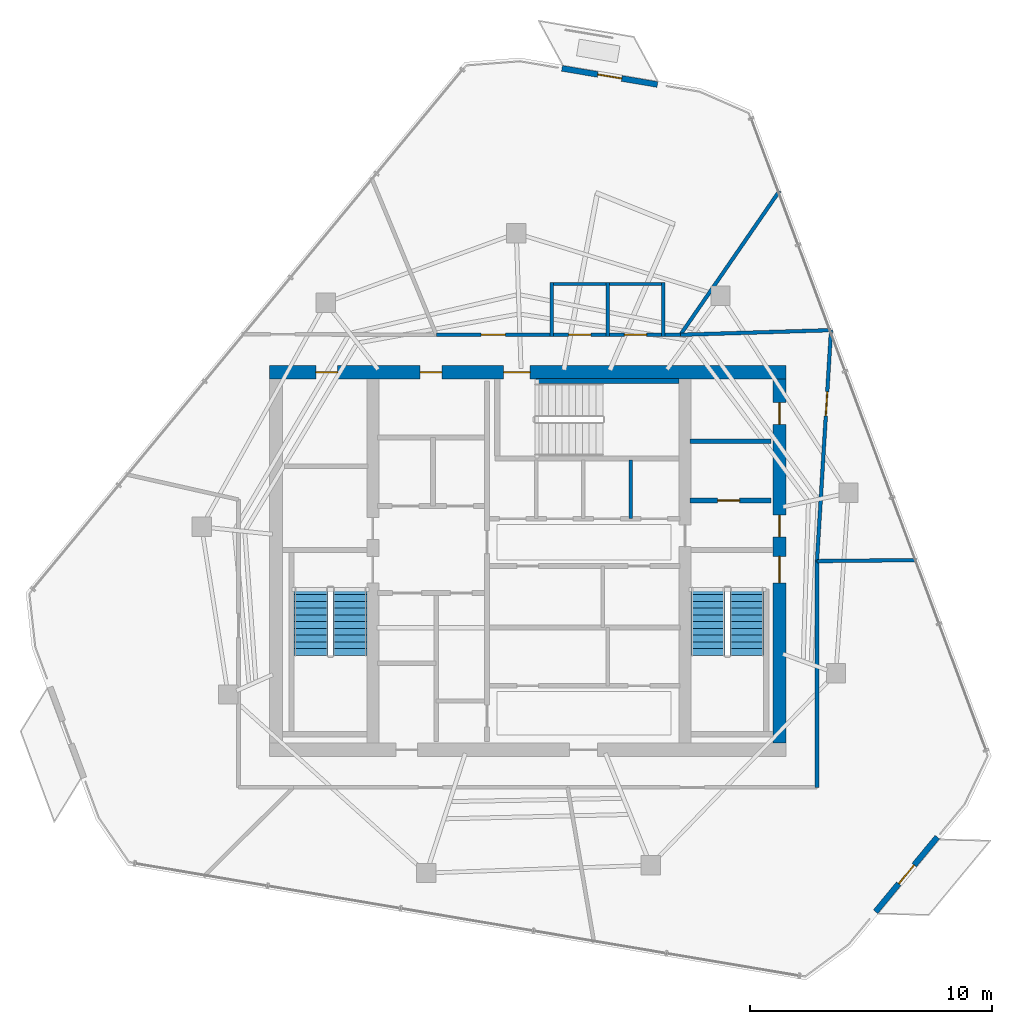
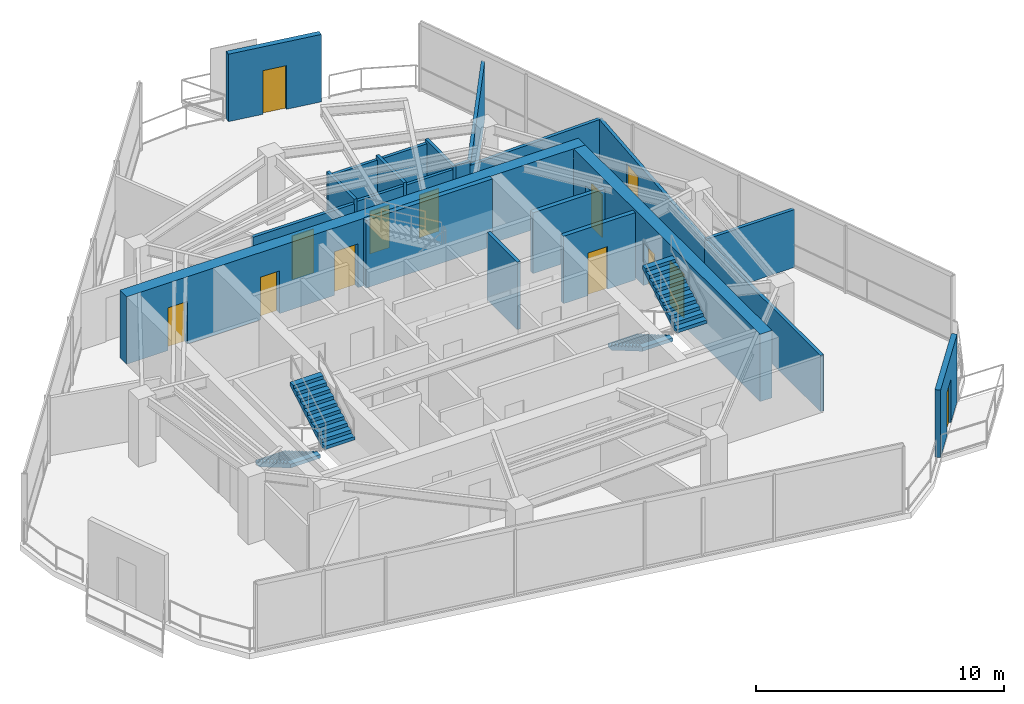
# One storey, part 16 of 19: 22 walls, 13 doors, 4 stair flights, 13 openings, 2 elements without a shape of their own.
"""IFC4 building model written with IfcOpenShell, lengths in metres."""

from ifc_helpers import new_model, si_unit, direction, frame, frame_2d, origin, place, context, subcontext, project, spatial, polyline, rectangle, outline, extrude, material, layer, layer_set, type_object, element, fill, aggregate, save


model = new_model("IFC4")

# Units and contexts
model_context = context("Model", 3, precision=1e-05, world=origin(), true_north=direction((0.0, 1.0)))
body_context = subcontext(model_context, "Body", "Model", "MODEL_VIEW")
ifc_project = project(units=[si_unit("LENGTHUNIT", "METRE"), si_unit("AREAUNIT", "SQUARE_METRE"), si_unit("VOLUMEUNIT", "CUBIC_METRE"), si_unit("PLANEANGLEUNIT", "RADIAN"), si_unit("MASSUNIT", "GRAM", prefix="KILO")], contexts=[model_context])

# Site, building, storey
site_placement = place(None, origin())
site = spatial("IfcSite", under=ifc_project, at=site_placement, CompositionType="ELEMENT")
building_placement = place(site_placement, origin())
building = spatial("IfcBuilding", under=site, at=building_placement, Name="Qarnah Convention Tower", CompositionType="ELEMENT")
storey_placement = place(building_placement, frame((0.0, 0.0, 257.10009765625)))
storey = spatial("IfcBuildingStorey", under=building, at=storey_placement, Name="L69", CompositionType="ELEMENT", Elevation=257.10009765625)

# Wall, openings, doors
ifc_material_1 = material(Name="Concrete C60/75", Category="concrete")
ifc_layer_1 = layer(ifc_material_1, 0.550048828125)
ifc_layer_set_1 = layer_set([ifc_layer_1], Name="Concrete C60/75")
wall_type_1 = type_object("IfcWallType", Name="WL-CORE-550", PredefinedType="SHEAR", material=ifc_layer_set_1)
wall_1_placement = place(storey_placement, frame((26.52490234375, 34.199951171875, 0.0), z_axis=(0.0, 0.0, 1.0), x_axis=(1.0, 0.0, 0.0)))
wall_1 = element("IfcWall", 1, at=wall_1_placement, inside=storey, type_object=wall_type_1, Name="L69 core north shear wall", PredefinedType="SHEAR", context=body_context, shape_type="SweptSolid", body=[
    extrude(rectangle(XDim=21.35009765625, YDim=0.550048828125, at=frame_2d((10.675048828125, 0.0))), origin(), (0.0, 0.0, 1.0), 3.31982421875),
])
opening_1_placement = place(wall_1_placement, frame((9.675048828125, 0.0, 0.0)))
opening_1 = element("IfcOpeningElement", 2, at=opening_1_placement, cuts=wall_1, Name="Opening D-6903", PredefinedType="OPENING", context=body_context, shape_type="SweptSolid", body=[
    extrude(rectangle(XDim=1.10009765625, YDim=2.14990234375, at=frame_2d((0.550048828125, 1.074951171875))), frame((0.0, 0.284912109375, 0.0), z_axis=(0.0, -1.0, 0.0), x_axis=(1.0, 0.0, 0.0)), (0.0, 0.0, 1.0), 0.570068359375),
])
opening_2_placement = place(wall_1_placement, frame((1.925048828125, 0.0, 0.0)))
opening_2 = element("IfcOpeningElement", 3, at=opening_2_placement, cuts=wall_1, Name="Opening D-6909", PredefinedType="OPENING", context=body_context, shape_type="SweptSolid", body=[
    extrude(rectangle(XDim=0.89990234375, YDim=2.10009765625, at=frame_2d((0.449951171875, 1.050048828125))), frame((0.0, 0.284912109375, 0.0), z_axis=(0.0, -1.0, 0.0), x_axis=(1.0, 0.0, 0.0)), (0.0, 0.0, 1.0), 0.570068359375),
])
opening_3_placement = place(wall_1_placement, frame((6.22509765625, 0.0, 0.0)))
opening_3 = element("IfcOpeningElement", 4, at=opening_3_placement, cuts=wall_1, Name="Opening D-6910", PredefinedType="OPENING", context=body_context, shape_type="SweptSolid", body=[
    extrude(rectangle(XDim=0.89990234375, YDim=2.10009765625, at=frame_2d((0.449951171875, 1.050048828125))), frame((0.0, 0.284912109375, 0.0), z_axis=(0.0, -1.0, 0.0), x_axis=(1.0, 0.0, 0.0)), (0.0, 0.0, 1.0), 0.570068359375),
])
ifc_material_2 = material(Name="Structural steel S355JR", Category="steel")
door_type_1 = type_object("IfcDoorType", Name="DT-RISER-900", OperationType="NOTDEFINED", PredefinedType="DOOR", material=ifc_material_2)
door_1_placement = place(opening_2_placement, origin())
door_1 = element("IfcDoor", 5, at=door_1_placement, inside=storey, type_object=door_type_1, Name="Door D-6909", OperationType="SINGLE_SWING_LEFT", OverallHeight=2.10009765625, OverallWidth=0.89990234375, PredefinedType="DOOR", context=body_context, shape_type="SweptSolid", body=[
    extrude(rectangle(XDim=0.89990234375, YDim=2.10009765625, at=frame_2d((0.449951171875, 1.050048828125))), frame((0.0, 0.02490234375, 0.0), z_axis=(0.0, -1.0, 0.0), x_axis=(1.0, 0.0, 0.0)), (0.0, 0.0, 1.0), 0.050048828125),
])
fill(opening_2, door_1)
door_2_placement = place(opening_3_placement, origin())
door_2 = element("IfcDoor", 6, at=door_2_placement, inside=storey, type_object=door_type_1, Name="Door D-6910", OperationType="SINGLE_SWING_RIGHT", OverallHeight=2.10009765625, OverallWidth=0.89990234375, PredefinedType="DOOR", context=body_context, shape_type="SweptSolid", body=[
    extrude(rectangle(XDim=0.89990234375, YDim=2.10009765625, at=frame_2d((0.449951171875, 1.050048828125))), frame((0.0, 0.02490234375, 0.0), z_axis=(0.0, -1.0, 0.0), x_axis=(1.0, 0.0, 0.0)), (0.0, 0.0, 1.0), 0.050048828125),
])
fill(opening_3, door_2)
door_type_2 = type_object("IfcDoorType", Name="DT-STAIR-1100", OperationType="NOTDEFINED", PredefinedType="DOOR", material=ifc_material_2)
door_3_placement = place(opening_1_placement, origin())
door_3 = element("IfcDoor", 7, at=door_3_placement, inside=storey, type_object=door_type_2, Name="Door D-6903", OperationType="SINGLE_SWING_LEFT", OverallHeight=2.14990234375, OverallWidth=1.10009765625, PredefinedType="DOOR", context=body_context, shape_type="SweptSolid", body=[
    extrude(rectangle(XDim=1.10009765625, YDim=2.14990234375, at=frame_2d((0.550048828125, 1.074951171875))), frame((0.0, 0.02490234375, 0.0), z_axis=(0.0, -1.0, 0.0), x_axis=(1.0, 0.0, 0.0)), (0.0, 0.0, 1.0), 0.050048828125),
])
fill(opening_1, door_3)

wall_2_placement = place(storey_placement, frame((47.60009765625, 18.875, 0.0), z_axis=(0.0, 0.0, 1.0), x_axis=(0.0, 1.0, 0.0)))
wall_2 = element("IfcWall", 8, at=wall_2_placement, inside=storey, type_object=wall_type_1, Name="L69 core east shear wall", PredefinedType="SHEAR", context=body_context, shape_type="SweptSolid", body=[
    extrude(rectangle(XDim=15.050048828125, YDim=0.550048828125, at=frame_2d((7.52490234375, 0.0))), origin(), (0.0, 0.0, 1.0), 3.31982421875),
])
opening_4_placement = place(wall_2_placement, frame((6.625, 0.0, 0.0)))
opening_4 = element("IfcOpeningElement", 9, at=opening_4_placement, cuts=wall_2, Name="Opening D-6902", PredefinedType="OPENING", context=body_context, shape_type="SweptSolid", body=[
    extrude(rectangle(XDim=1.10009765625, YDim=2.14990234375, at=frame_2d((0.550048828125, 1.074951171875))), frame((0.0, 0.284912109375, 0.0), z_axis=(0.0, -1.0, 0.0), x_axis=(1.0, 0.0, 0.0)), (0.0, 0.0, 1.0), 0.570068359375),
])
opening_5_placement = place(wall_2_placement, frame((8.52490234375, 0.0, 0.0)))
opening_5 = element("IfcOpeningElement", 10, at=opening_5_placement, cuts=wall_2, Name="Opening D-6906", PredefinedType="OPENING", context=body_context, shape_type="SweptSolid", body=[
    extrude(rectangle(XDim=0.89990234375, YDim=2.10009765625, at=frame_2d((0.449951171875, 1.050048828125))), frame((0.0, 0.284912109375, 0.0), z_axis=(0.0, -1.0, 0.0), x_axis=(1.0, 0.0, 0.0)), (0.0, 0.0, 1.0), 0.570068359375),
])
opening_6_placement = place(wall_2_placement, frame((13.175048828125, 0.0, 0.0)))
opening_6 = element("IfcOpeningElement", 11, at=opening_6_placement, cuts=wall_2, Name="Opening D-6912", PredefinedType="OPENING", context=body_context, shape_type="SweptSolid", body=[
    extrude(rectangle(XDim=0.89990234375, YDim=2.10009765625, at=frame_2d((0.449951171875, 1.050048828125))), frame((0.0, 0.284912109375, 0.0), z_axis=(0.0, -1.0, 0.0), x_axis=(1.0, 0.0, 0.0)), (0.0, 0.0, 1.0), 0.570068359375),
])
door_4_placement = place(opening_5_placement, origin())
door_4 = element("IfcDoor", 12, at=door_4_placement, inside=storey, type_object=door_type_1, Name="Door D-6906", OperationType="SINGLE_SWING_RIGHT", OverallHeight=2.10009765625, OverallWidth=0.89990234375, PredefinedType="DOOR", context=body_context, shape_type="SweptSolid", body=[
    extrude(rectangle(XDim=0.89990234375, YDim=2.10009765625, at=frame_2d((0.449951171875, 1.050048828125))), frame((0.0, 0.02490234375, 0.0), z_axis=(0.0, -1.0, 0.0), x_axis=(1.0, 0.0, 0.0)), (0.0, 0.0, 1.0), 0.050048828125),
])
fill(opening_5, door_4)
door_5_placement = place(opening_6_placement, origin())
door_5 = element("IfcDoor", 13, at=door_5_placement, inside=storey, type_object=door_type_1, Name="Door D-6912", OperationType="SINGLE_SWING_RIGHT", OverallHeight=2.10009765625, OverallWidth=0.89990234375, PredefinedType="DOOR", context=body_context, shape_type="SweptSolid", body=[
    extrude(rectangle(XDim=0.89990234375, YDim=2.10009765625, at=frame_2d((0.449951171875, 1.050048828125))), frame((0.0, 0.02490234375, 0.0), z_axis=(0.0, -1.0, 0.0), x_axis=(1.0, 0.0, 0.0)), (0.0, 0.0, 1.0), 0.050048828125),
])
fill(opening_6, door_5)
door_6_placement = place(opening_4_placement, origin())
door_6 = element("IfcDoor", 14, at=door_6_placement, inside=storey, type_object=door_type_2, Name="Door D-6902", OperationType="SINGLE_SWING_RIGHT", OverallHeight=2.14990234375, OverallWidth=1.10009765625, PredefinedType="DOOR", context=body_context, shape_type="SweptSolid", body=[
    extrude(rectangle(XDim=1.10009765625, YDim=2.14990234375, at=frame_2d((0.550048828125, 1.074951171875))), frame((0.0, 0.02490234375, 0.0), z_axis=(0.0, -1.0, 0.0), x_axis=(1.0, 0.0, 0.0)), (0.0, 0.0, 1.0), 0.050048828125),
])
fill(opening_4, door_6)

# Wall, opening, door
ifc_material_3 = material(Name="Concrete C45/55", Category="concrete")
ifc_layer_2 = layer(ifc_material_3, 0.199951171875)
ifc_layer_set_2 = layer_set([ifc_layer_2], Name="Concrete C45/55")
wall_type_2 = type_object("IfcWallType", Name="WL-CORE-PART-200", PredefinedType="SOLIDWALL", material=ifc_layer_set_2)
wall_3_placement = place(storey_placement, frame((43.89990234375, 28.89990234375, 0.0), z_axis=(0.0, 0.0, 1.0), x_axis=(1.0, 0.0, 0.0)))
wall_3 = element("IfcWall", 15, at=wall_3_placement, inside=storey, type_object=wall_type_2, Name="L69 interior wall IW-L69-EVSTN", PredefinedType="SOLIDWALL", context=body_context, shape_type="SweptSolid", body=[
    extrude(rectangle(XDim=3.35009765625, YDim=0.199951171875, at=frame_2d((1.675048828125, 0.0))), origin(), (0.0, 0.0, 1.0), 3.31982421875),
])
opening_7_placement = place(wall_3_placement, frame((1.14990234375, 0.0, 0.0)))
opening_7 = element("IfcOpeningElement", 16, at=opening_7_placement, cuts=wall_3, Name="Opening D-6911", PredefinedType="OPENING", context=body_context, shape_type="SweptSolid", body=[
    extrude(rectangle(XDim=0.89990234375, YDim=2.10009765625, at=frame_2d((0.449951171875, 1.050048828125))), frame((0.0, 0.10986328125, 0.0), z_axis=(0.0, -1.0, 0.0), x_axis=(1.0, 0.0, 0.0)), (0.0, 0.0, 1.0), 0.219970703125),
])
door_7_placement = place(opening_7_placement, origin())
door_7 = element("IfcDoor", 17, at=door_7_placement, inside=storey, type_object=door_type_1, Name="Door D-6911", OperationType="SINGLE_SWING_LEFT", OverallHeight=2.10009765625, OverallWidth=0.89990234375, PredefinedType="DOOR", context=body_context, shape_type="SweptSolid", body=[
    extrude(rectangle(XDim=0.89990234375, YDim=2.10009765625, at=frame_2d((0.449951171875, 1.050048828125))), frame((0.0, 0.02490234375, 0.0), z_axis=(0.0, -1.0, 0.0), x_axis=(1.0, 0.0, 0.0)), (0.0, 0.0, 1.0), 0.050048828125),
])
fill(opening_7, door_7)

# Walls
wall_4_placement = place(storey_placement, frame((43.89990234375, 31.35009765625, 0.0), z_axis=(0.0, 0.0, 1.0), x_axis=(1.0, 0.0, 0.0)))
element("IfcWall", 18, at=wall_4_placement, inside=storey, type_object=wall_type_2, Name="L69 interior wall IW-L69-WTRN", PredefinedType="SOLIDWALL", context=body_context, shape_type="SweptSolid", body=[
    extrude(rectangle(XDim=3.35009765625, YDim=0.199951171875, at=frame_2d((1.675048828125, 0.0))), origin(), (0.0, 0.0, 1.0), 2.992919921875),
])
ifc_layer_3 = layer(ifc_material_1, 0.219970703125)
ifc_layer_set_3 = layer_set([ifc_layer_3], Name="Concrete C60/75")
wall_type_3 = type_object("IfcWallType", Name="WL-CORE-STAIR-220", PredefinedType="SHEAR", material=ifc_layer_set_3)
wall_5_placement = place(storey_placement, frame((37.550048828125, 33.840087890625, 0.0), z_axis=(0.0, 0.0, 1.0), x_axis=(1.0, 0.0, 0.0)))
element("IfcWall", 19, at=wall_5_placement, inside=storey, type_object=wall_type_3, Name="L69 stair shaft shear wall SW-L69-ST3N", PredefinedType="SHEAR", context=body_context, shape_type="SweptSolid", body=[
    extrude(rectangle(XDim=5.89990234375, YDim=0.219970703125, at=frame_2d((2.949951171875, 0.0))), origin(), (0.0, 0.0, 1.0), 3.31982421875),
])

# Wall, opening, door
ifc_material_4 = material(Name="Precast concrete C45/55", Category="concrete")
ifc_layer_4 = layer(ifc_material_4, 0.239990234375)
ifc_layer_set_4 = layer_set([ifc_layer_4], Name="Precast concrete C45/55")
wall_type_4 = type_object("IfcWallType", Name="WL-EXT-BAL-240", PredefinedType="SOLIDWALL", material=ifc_layer_set_4)
wall_6_placement = place(storey_placement, frame((38.614990234375, 46.757080078125, 0.0), z_axis=(0.0, 0.0, 1.0), x_axis=(0.986000188888, -0.166744197836, 0.0)))
wall_6 = element("IfcWall", 20, at=wall_6_placement, inside=storey, type_object=wall_type_4, Name="L69 loggia threshold wall BAL-L69-C1", PredefinedType="SOLIDWALL", context=body_context, shape_type="SweptSolid", body=[
    extrude(rectangle(XDim=4.0, YDim=0.239990234375, at=frame_2d((2.0, 0.0))), origin(), (0.0, 0.0, 1.0), 3.31982421875),
])
opening_8_placement = place(wall_6_placement, frame((1.5, 0.0, 0.0)))
opening_8 = element("IfcOpeningElement", 21, at=opening_8_placement, cuts=wall_6, Name="Opening BD-6901", PredefinedType="OPENING", context=body_context, shape_type="SweptSolid", body=[
    extrude(rectangle(XDim=1.0, YDim=2.14990234375, at=frame_2d((0.5, 1.074951171875))), frame((0.0, 0.1298828125, 0.0), z_axis=(0.0, -1.0, 0.0), x_axis=(1.0, 0.0, 0.0)), (0.0, 0.0, 1.0), 0.260009765625),
])
ifc_material_5 = material(Name="Black anodised aluminium", Category="aluminium")
door_type_3 = type_object("IfcDoorType", Name="DT-BAL-1000", OperationType="NOTDEFINED", PredefinedType="DOOR", material=ifc_material_5)
door_8_placement = place(opening_8_placement, origin())
door_8 = element("IfcDoor", 22, at=door_8_placement, inside=storey, type_object=door_type_3, Name="L69 balcony terrace door BAL-L69-C1", OperationType="SINGLE_SWING_RIGHT", OverallHeight=2.14990234375, OverallWidth=1.0, PredefinedType="DOOR", context=body_context, shape_type="SweptSolid", body=[
    extrude(rectangle(XDim=1.0, YDim=2.14990234375, at=frame_2d((0.5, 1.074951171875))), frame((0.0, 0.02490234375, 0.0), z_axis=(0.0, -1.0, 0.0), x_axis=(1.0, 0.0, 0.0)), (0.0, 0.0, 1.0), 0.050048828125),
])
fill(opening_8, door_8)

wall_7_placement = place(storey_placement, frame((54.1220703125, 14.9970703125, 0.0), z_axis=(0.0, 0.0, 1.0), x_axis=(-0.637359135776, -0.770566890051, 0.0)))
wall_7 = element("IfcWall", 23, at=wall_7_placement, inside=storey, type_object=wall_type_4, Name="L69 loggia threshold wall BAL-L69-C3", PredefinedType="SOLIDWALL", context=body_context, shape_type="SweptSolid", body=[
    extrude(rectangle(XDim=4.0009765625, YDim=0.239990234375, at=frame_2d((2.00048828125, 0.0))), origin(), (0.0, 0.0, 1.0), 3.31982421875),
])
opening_9_placement = place(wall_7_placement, frame((1.5, 0.0, 0.0)))
opening_9 = element("IfcOpeningElement", 24, at=opening_9_placement, cuts=wall_7, Name="Opening BD-6903", PredefinedType="OPENING", context=body_context, shape_type="SweptSolid", body=[
    extrude(rectangle(XDim=1.0, YDim=2.14990234375, at=frame_2d((0.5, 1.074951171875))), frame((0.0, 0.1298828125, 0.0), z_axis=(0.0, -1.0, 0.0), x_axis=(1.0, 0.0, 0.0)), (0.0, 0.0, 1.0), 0.260009765625),
])
door_9_placement = place(opening_9_placement, origin())
door_9 = element("IfcDoor", 25, at=door_9_placement, inside=storey, type_object=door_type_3, Name="L69 balcony terrace door BAL-L69-C3", OperationType="SINGLE_SWING_RIGHT", OverallHeight=2.14990234375, OverallWidth=1.0, PredefinedType="DOOR", context=body_context, shape_type="SweptSolid", body=[
    extrude(rectangle(XDim=1.0, YDim=2.14990234375, at=frame_2d((0.5, 1.074951171875))), frame((0.0, 0.02490234375, 0.0), z_axis=(0.0, -1.0, 0.0), x_axis=(1.0, 0.0, 0.0)), (0.0, 0.0, 1.0), 0.050048828125),
])
fill(opening_9, door_9)

# Wall
ifc_material_6 = material(Name="Gypsum partition board")
ifc_layer_5 = layer(ifc_material_6, 0.14990234375)
ifc_layer_set_5 = layer_set([ifc_layer_5], Name="Gypsum partition board")
wall_type_5 = type_object("IfcWallType", Name="WL-SUITE-150", PredefinedType="PARTITIONING", material=ifc_layer_set_5)
wall_8_placement = place(storey_placement, frame((41.449951171875, 28.14990234375, 0.0), z_axis=(0.0, 0.0, 1.0), x_axis=(0.0, 1.0, 0.0)))
element("IfcWall", 26, at=wall_8_placement, inside=storey, type_object=wall_type_5, Name="L69 interior wall IW-L69-PHD3", PredefinedType="PARTITIONING", context=body_context, shape_type="SweptSolid", body=[
    extrude(rectangle(XDim=2.43017578125, YDim=0.14990234375, at=frame_2d((1.215087890625, 0.0))), origin(), (0.0, 0.0, 1.0), 3.31982421875),
])

# Wall, opening, door
wall_9_placement = place(storey_placement, frame((49.72998046875, 35.94091796875, 0.0), z_axis=(0.0, 0.0, 1.0), x_axis=(-0.060686304125, -0.998156887714, 0.0)))
wall_9 = element("IfcWall", 27, at=wall_9_placement, inside=storey, type_object=wall_type_5, Name="L69 interior wall IW-L69-R-08", PredefinedType="PARTITIONING", context=body_context, shape_type="SweptSolid", body=[
    extrude(rectangle(XDim=9.55859375, YDim=0.14990234375, at=frame_2d((4.779296875, 0.0))), origin(), (0.0, 0.0, 1.0), 2.768798828125),
])
opening_10_placement = place(wall_9_placement, frame((2.548095703125, 0.0, 0.0)))
opening_10 = element("IfcOpeningElement", 28, at=opening_10_placement, cuts=wall_9, Name="Opening D-6922", PredefinedType="OPENING", context=body_context, shape_type="SweptSolid", body=[
    extrude(rectangle(XDim=1.0, YDim=2.14990234375, at=frame_2d((0.5, 1.074951171875))), frame((0.0, 0.0849609375, 0.0), z_axis=(0.0, -1.0, 0.0), x_axis=(1.0, 0.0, 0.0)), (0.0, 0.0, 1.0), 0.169921875),
])
ifc_material_7 = material(Name="Oak timber veneer", Category="wood")
door_type_4 = type_object("IfcDoorType", Name="DT-OFFICE-1000", OperationType="NOTDEFINED", PredefinedType="DOOR", material=ifc_material_7)
door_10_placement = place(opening_10_placement, origin())
door_10 = element("IfcDoor", 29, at=door_10_placement, inside=storey, type_object=door_type_4, Name="Door D-6922", OperationType="SINGLE_SWING_RIGHT", OverallHeight=2.14990234375, OverallWidth=1.0, PredefinedType="DOOR", context=body_context, shape_type="SweptSolid", body=[
    extrude(rectangle(XDim=1.0, YDim=2.14990234375, at=frame_2d((0.5, 1.074951171875))), frame((0.0, 0.02490234375, 0.0), z_axis=(0.0, -1.0, 0.0), x_axis=(1.0, 0.0, 0.0)), (0.0, 0.0, 1.0), 0.050048828125),
])
fill(opening_10, door_10)

# Walls
wall_10_placement = place(storey_placement, frame((49.14990234375, 26.39990234375, 0.0), z_axis=(0.0, 0.0, 1.0), x_axis=(0.999947936247, 0.010204155742, 0.0)))
element("IfcWall", 30, at=wall_10_placement, inside=storey, type_object=wall_type_5, Name="L69 interior wall IW-L69-R-09", PredefinedType="PARTITIONING", context=body_context, shape_type="SweptSolid", body=[
    extrude(rectangle(XDim=4.115234375, YDim=0.14990234375, at=frame_2d((2.0576171875, 0.0))), origin(), (0.0, 0.0, 1.0), 2.844970703125),
])
wall_11_placement = place(storey_placement, frame((47.60205078125, 41.697021484375, 0.0), z_axis=(0.0, 0.0, 1.0), x_axis=(-0.56712993508, -0.82362833653, 0.0)))
element("IfcWall", 31, at=wall_11_placement, inside=storey, type_object=wall_type_5, Name="L69 interior wall IW-L69-R-10", PredefinedType="PARTITIONING", context=body_context, shape_type="SweptSolid", body=[
    extrude(rectangle(XDim=7.220458984375, YDim=0.14990234375, at=frame_2d((3.6103515625, 0.0))), origin(), (0.0, 0.0, 1.0), 2.844970703125),
])
wall_12_placement = place(storey_placement, frame((43.507080078125, 35.75, 0.0), z_axis=(0.0, 0.0, 1.0), x_axis=(0.999529703809, 0.030665472493, 0.0)))
element("IfcWall", 32, at=wall_12_placement, inside=storey, type_object=wall_type_5, Name="L69 interior wall IW-L69-R-11", PredefinedType="PARTITIONING", context=body_context, shape_type="SweptSolid", body=[
    extrude(rectangle(XDim=6.225830078125, YDim=0.14990234375, at=frame_2d((3.11279296875, 0.0))), origin(), (0.0, 0.0, 1.0), 2.768798828125),
])

# Wall, opening, door
wall_13_placement = place(storey_placement, frame((33.422119140625, 35.75, 0.0), z_axis=(0.0, 0.0, 1.0), x_axis=(1.0, 0.0, 0.0)))
wall_13 = element("IfcWall", 33, at=wall_13_placement, inside=storey, type_object=wall_type_5, Name="L69 interior wall IW-L69-R-13", PredefinedType="PARTITIONING", context=body_context, shape_type="SweptSolid", body=[
    extrude(rectangle(XDim=4.707763671875, YDim=0.14990234375, at=frame_2d((2.35400390625, 0.0))), origin(), (0.0, 0.0, 1.0), 2.768798828125),
])
opening_11_placement = place(wall_13_placement, frame((1.85400390625, 0.0, 0.0)))
opening_11 = element("IfcOpeningElement", 34, at=opening_11_placement, cuts=wall_13, Name="Opening D-6923", PredefinedType="OPENING", context=body_context, shape_type="SweptSolid", body=[
    extrude(rectangle(XDim=1.0, YDim=2.14990234375, at=frame_2d((0.5, 1.074951171875))), frame((0.0, 0.0849609375, 0.0), z_axis=(0.0, -1.0, 0.0), x_axis=(1.0, 0.0, 0.0)), (0.0, 0.0, 1.0), 0.169921875),
])
door_11_placement = place(opening_11_placement, origin())
door_11 = element("IfcDoor", 35, at=door_11_placement, inside=storey, type_object=door_type_4, Name="Door D-6923", OperationType="SINGLE_SWING_LEFT", OverallHeight=2.14990234375, OverallWidth=1.0, PredefinedType="DOOR", context=body_context, shape_type="SweptSolid", body=[
    extrude(rectangle(XDim=1.0, YDim=2.14990234375, at=frame_2d((0.5, 1.074951171875))), frame((0.0, 0.02490234375, 0.0), z_axis=(0.0, -1.0, 0.0), x_axis=(1.0, 0.0, 0.0)), (0.0, 0.0, 1.0), 0.050048828125),
])
fill(opening_11, door_11)

# Walls
wall_14_placement = place(storey_placement, frame((42.8701171875, 35.75, 0.0), z_axis=(0.0, 0.0, 1.0), x_axis=(1.0, 0.0, 0.0)))
element("IfcWall", 36, at=wall_14_placement, inside=storey, type_object=wall_type_5, Name="L69 interior wall IW-L69-R-14", PredefinedType="PARTITIONING", context=body_context, shape_type="SweptSolid", body=[
    extrude(rectangle(XDim=0.636962890625, YDim=0.14990234375, at=frame_2d((0.318359375, 0.0))), origin(), (0.0, 0.0, 1.0), 2.992919921875),
])
wall_15_placement = place(storey_placement, frame((49.14990234375, 26.39990234375, 0.0), z_axis=(0.0, 0.0, 1.0), x_axis=(0.0, -1.0, 0.0)))
element("IfcWall", 37, at=wall_15_placement, inside=storey, type_object=wall_type_5, Name="L69 interior wall IW-L69-R-22", PredefinedType="PARTITIONING", context=body_context, shape_type="SweptSolid", body=[
    extrude(rectangle(XDim=9.349853515625, YDim=0.14990234375, at=frame_2d((4.6748046875, 0.0))), origin(), (0.0, 0.0, 1.0), 2.768798828125),
])

# Wall, opening, door
ifc_layer_6 = layer(ifc_material_6, 0.139892578125)
ifc_layer_set_6 = layer_set([ifc_layer_6], Name="Gypsum partition board")
wall_type_6 = type_object("IfcWallType", Name="WL-WET-140", PredefinedType="PARTITIONING", material=ifc_layer_set_6)
wall_16_placement = place(storey_placement, frame((38.1298828125, 35.75, 0.0), z_axis=(0.0, 0.0, 1.0), x_axis=(1.0, 0.0, 0.0)))
wall_16 = element("IfcWall", 38, at=wall_16_placement, inside=storey, type_object=wall_type_6, Name="L69 interior wall IW-L69-WCM-1", PredefinedType="PARTITIONING", context=body_context, shape_type="SweptSolid", body=[
    extrude(rectangle(XDim=2.440185546875, YDim=0.139892578125, at=frame_2d((1.22021484375, 0.0))), origin(), (0.0, 0.0, 1.0), 2.8408203125),
])
opening_12_placement = place(wall_16_placement, frame((0.760009765625, 0.0, 0.0)))
opening_12 = element("IfcOpeningElement", 39, at=opening_12_placement, cuts=wall_16, Name="Opening D-6920", PredefinedType="OPENING", context=body_context, shape_type="SweptSolid", body=[
    extrude(rectangle(XDim=0.919921875, YDim=2.10009765625, at=frame_2d((0.4599609375, 1.050048828125))), frame((0.0, 0.079833984375, 0.0), z_axis=(0.0, -1.0, 0.0), x_axis=(1.0, 0.0, 0.0)), (0.0, 0.0, 1.0), 0.159912109375),
])
door_type_5 = type_object("IfcDoorType", Name="DT-WC-920", OperationType="NOTDEFINED", PredefinedType="DOOR", material=ifc_material_7)
door_12_placement = place(opening_12_placement, origin())
door_12 = element("IfcDoor", 40, at=door_12_placement, inside=storey, type_object=door_type_5, Name="Door D-6920", OperationType="SINGLE_SWING_RIGHT", OverallHeight=2.10009765625, OverallWidth=0.919921875, PredefinedType="DOOR", context=body_context, shape_type="SweptSolid", body=[
    extrude(rectangle(XDim=0.919921875, YDim=2.10009765625, at=frame_2d((0.4599609375, 1.050048828125))), frame((0.0, 0.02490234375, 0.0), z_axis=(0.0, -1.0, 0.0), x_axis=(1.0, 0.0, 0.0)), (0.0, 0.0, 1.0), 0.050048828125),
])
fill(opening_12, door_12)

# Walls
wall_17_placement = place(storey_placement, frame((40.5, 35.679931640625, 0.0), z_axis=(0.0, 0.0, 1.0), x_axis=(0.0, 1.0, 0.0)))
element("IfcWall", 41, at=wall_17_placement, inside=storey, type_object=wall_type_6, Name="L69 interior wall IW-L69-WCM-2", PredefinedType="PARTITIONING", context=body_context, shape_type="SweptSolid", body=[
    extrude(rectangle(XDim=2.239990234375, YDim=0.139892578125, at=frame_2d((1.1201171875, 0.0))), origin(), (0.0, 0.0, 1.0), 2.992919921875),
])
wall_18_placement = place(storey_placement, frame((40.570068359375, 37.85009765625, 0.0), z_axis=(0.0, 0.0, 1.0), x_axis=(-1.0, 0.0, 0.0)))
element("IfcWall", 42, at=wall_18_placement, inside=storey, type_object=wall_type_6, Name="L69 interior wall IW-L69-WCM-3", PredefinedType="PARTITIONING", context=body_context, shape_type="SweptSolid", body=[
    extrude(rectangle(XDim=2.440185546875, YDim=0.139892578125, at=frame_2d((1.22021484375, 0.0))), origin(), (0.0, 0.0, 1.0), 2.8408203125),
])
wall_19_placement = place(storey_placement, frame((38.199951171875, 37.919921875, 0.0), z_axis=(0.0, 0.0, 1.0), x_axis=(0.0, -1.0, 0.0)))
element("IfcWall", 43, at=wall_19_placement, inside=storey, type_object=wall_type_6, Name="L69 interior wall IW-L69-WCM-4", PredefinedType="PARTITIONING", context=body_context, shape_type="SweptSolid", body=[
    extrude(rectangle(XDim=2.239990234375, YDim=0.139892578125, at=frame_2d((1.1201171875, 0.0))), origin(), (0.0, 0.0, 1.0), 2.992919921875),
])

# Wall, opening, door
wall_20_placement = place(storey_placement, frame((40.429931640625, 35.75, 0.0), z_axis=(0.0, 0.0, 1.0), x_axis=(1.0, 0.0, 0.0)))
wall_20 = element("IfcWall", 44, at=wall_20_placement, inside=storey, type_object=wall_type_6, Name="L69 interior wall IW-L69-WCF-1", PredefinedType="PARTITIONING", context=body_context, shape_type="SweptSolid", body=[
    extrude(rectangle(XDim=2.440185546875, YDim=0.139892578125, at=frame_2d((1.22021484375, 0.0))), origin(), (0.0, 0.0, 1.0), 2.8408203125),
])
opening_13_placement = place(wall_20_placement, frame((0.760009765625, 0.0, 0.0)))
opening_13 = element("IfcOpeningElement", 45, at=opening_13_placement, cuts=wall_20, Name="Opening D-6921", PredefinedType="OPENING", context=body_context, shape_type="SweptSolid", body=[
    extrude(rectangle(XDim=0.919921875, YDim=2.10009765625, at=frame_2d((0.4599609375, 1.050048828125))), frame((0.0, 0.079833984375, 0.0), z_axis=(0.0, -1.0, 0.0), x_axis=(1.0, 0.0, 0.0)), (0.0, 0.0, 1.0), 0.159912109375),
])
door_13_placement = place(opening_13_placement, origin())
door_13 = element("IfcDoor", 46, at=door_13_placement, inside=storey, type_object=door_type_5, Name="Door D-6921", OperationType="SINGLE_SWING_LEFT", OverallHeight=2.10009765625, OverallWidth=0.919921875, PredefinedType="DOOR", context=body_context, shape_type="SweptSolid", body=[
    extrude(rectangle(XDim=0.919921875, YDim=2.10009765625, at=frame_2d((0.4599609375, 1.050048828125))), frame((0.0, 0.02490234375, 0.0), z_axis=(0.0, -1.0, 0.0), x_axis=(1.0, 0.0, 0.0)), (0.0, 0.0, 1.0), 0.050048828125),
])
fill(opening_13, door_13)

# Walls
wall_21_placement = place(storey_placement, frame((42.800048828125, 35.679931640625, 0.0), z_axis=(0.0, 0.0, 1.0), x_axis=(0.0, 1.0, 0.0)))
element("IfcWall", 47, at=wall_21_placement, inside=storey, type_object=wall_type_6, Name="L69 interior wall IW-L69-WCF-2", PredefinedType="PARTITIONING", context=body_context, shape_type="SweptSolid", body=[
    extrude(rectangle(XDim=2.239990234375, YDim=0.139892578125, at=frame_2d((1.1201171875, 0.0))), origin(), (0.0, 0.0, 1.0), 2.992919921875),
])
wall_22_placement = place(storey_placement, frame((42.8701171875, 37.85009765625, 0.0), z_axis=(0.0, 0.0, 1.0), x_axis=(-1.0, 0.0, 0.0)))
element("IfcWall", 48, at=wall_22_placement, inside=storey, type_object=wall_type_6, Name="L69 interior wall IW-L69-WCF-3", PredefinedType="PARTITIONING", context=body_context, shape_type="SweptSolid", body=[
    extrude(rectangle(XDim=2.440185546875, YDim=0.139892578125, at=frame_2d((1.22021484375, 0.0))), origin(), (0.0, 0.0, 1.0), 2.8408203125),
])

# Stair, stair flights
ifc_material_8 = material(Name="Concrete C50/60", Category="concrete")
stair_type = type_object("IfcStairType", Name="STR-OFF", PredefinedType="HALF_TURN_STAIR", material=ifc_material_8)
stair_1_placement = place(storey_placement, origin())
stair_1 = element("IfcStair", 49, at=stair_1_placement, inside=storey, type_object=stair_type, Name="L69 Core exit stair ST-1", PredefinedType="HALF_TURN_STAIR")
stair_flight_type = type_object("IfcStairFlightType", Name="FLT-OFF", PredefinedType="STRAIGHT", material=ifc_material_8)
stair_flight_1_placement = place(storey_placement, frame((28.25, 25.300048828125, 0.0), z_axis=(0.0, 0.0, 1.0), x_axis=(0.0, -1.0, 0.0)))
stair_flight_1 = element("IfcStairFlight", 50, at=stair_flight_1_placement, type_object=stair_flight_type, Name="ST-1 flight 1", NumberOfRisers=11, NumberOfTreads=10, PredefinedType="STRAIGHT", RiserHeight=0.163636364, TreadLength=0.28, context=body_context, shape_type="SweptSolid", body=[
    extrude(outline(polyline([(0.0, 0.0), (0.0, 0.16357421875), (0.280029296875, 0.16357421875), (0.280029296875, 0.327392578125), (0.56005859375, 0.327392578125), (0.56005859375, 0.490966796875), (0.840087890625, 0.490966796875), (0.840087890625, 0.654541015625), (1.1201171875, 0.654541015625), (1.1201171875, 0.818115234375), (1.39990234375, 0.818115234375), (1.39990234375, 0.98193359375), (1.679931640625, 0.98193359375), (1.679931640625, 1.1455078125), (1.9599609375, 1.1455078125), (1.9599609375, 1.30908203125), (2.239990234375, 1.30908203125), (2.239990234375, 1.47265625), (2.52001953125, 1.47265625), (2.52001953125, 1.636474609375), (2.800048828125, 1.636474609375), (2.800048828125, 1.800048828125), (2.800048828125, 1.462646484375), (0.297119140625, 0.0), (0.0, 0.0)])), frame((0.0, 0.699951171875, 0.0), z_axis=(0.0, -1.0, 0.0), x_axis=(1.0, 0.0, 0.0)), (0.0, 0.0, 1.0), 1.39990234375),
])
stair_flight_2_placement = place(storey_placement, frame((29.85009765625, 22.5, 1.7998046875), z_axis=(0.0, 0.0, 1.0), x_axis=(0.0, 1.0, 0.0)))
stair_flight_2 = element("IfcStairFlight", 51, at=stair_flight_2_placement, type_object=stair_flight_type, Name="ST-1 flight 2", NumberOfRisers=11, NumberOfTreads=10, PredefinedType="STRAIGHT", RiserHeight=0.163636364, TreadLength=0.28, context=body_context, shape_type="SweptSolid", body=[
    extrude(outline(polyline([(0.0, 0.0), (0.0, 0.16357421875), (0.280029296875, 0.16357421875), (0.280029296875, 0.327392578125), (0.56005859375, 0.327392578125), (0.56005859375, 0.490966796875), (0.840087890625, 0.490966796875), (0.840087890625, 0.654541015625), (1.1201171875, 0.654541015625), (1.1201171875, 0.818115234375), (1.39990234375, 0.818115234375), (1.39990234375, 0.98193359375), (1.679931640625, 0.98193359375), (1.679931640625, 1.1455078125), (1.9599609375, 1.1455078125), (1.9599609375, 1.30908203125), (2.239990234375, 1.30908203125), (2.239990234375, 1.47265625), (2.52001953125, 1.47265625), (2.52001953125, 1.636474609375), (2.800048828125, 1.636474609375), (2.800048828125, 1.800048828125), (2.800048828125, 1.462646484375), (0.297119140625, 0.0), (0.0, 0.0)])), frame((0.0, 0.699951171875, 0.0), z_axis=(0.0, -1.0, 0.0), x_axis=(1.0, 0.0, 0.0)), (0.0, 0.0, 1.0), 1.39990234375),
])
aggregate(stair_1, [stair_flight_1, stair_flight_2])

stair_2_placement = place(storey_placement, origin())
stair_2 = element("IfcStair", 52, at=stair_2_placement, inside=storey, type_object=stair_type, Name="L69 Core exit stair ST-2", PredefinedType="HALF_TURN_STAIR")
stair_flight_3_placement = place(storey_placement, frame((44.64990234375, 25.300048828125, 0.0), z_axis=(0.0, 0.0, 1.0), x_axis=(0.0, -1.0, 0.0)))
stair_flight_3 = element("IfcStairFlight", 53, at=stair_flight_3_placement, type_object=stair_flight_type, Name="ST-2 flight 1", NumberOfRisers=11, NumberOfTreads=10, PredefinedType="STRAIGHT", RiserHeight=0.163636364, TreadLength=0.28, context=body_context, shape_type="SweptSolid", body=[
    extrude(outline(polyline([(0.0, 0.0), (0.0, 0.16357421875), (0.280029296875, 0.16357421875), (0.280029296875, 0.327392578125), (0.56005859375, 0.327392578125), (0.56005859375, 0.490966796875), (0.840087890625, 0.490966796875), (0.840087890625, 0.654541015625), (1.1201171875, 0.654541015625), (1.1201171875, 0.818115234375), (1.39990234375, 0.818115234375), (1.39990234375, 0.98193359375), (1.679931640625, 0.98193359375), (1.679931640625, 1.1455078125), (1.9599609375, 1.1455078125), (1.9599609375, 1.30908203125), (2.239990234375, 1.30908203125), (2.239990234375, 1.47265625), (2.52001953125, 1.47265625), (2.52001953125, 1.636474609375), (2.800048828125, 1.636474609375), (2.800048828125, 1.800048828125), (2.800048828125, 1.462646484375), (0.297119140625, 0.0), (0.0, 0.0)])), frame((0.0, 0.699951171875, 0.0), z_axis=(0.0, -1.0, 0.0), x_axis=(1.0, 0.0, 0.0)), (0.0, 0.0, 1.0), 1.39990234375),
])
stair_flight_4_placement = place(storey_placement, frame((46.25, 22.5, 1.7998046875), z_axis=(0.0, 0.0, 1.0), x_axis=(0.0, 1.0, 0.0)))
stair_flight_4 = element("IfcStairFlight", 54, at=stair_flight_4_placement, type_object=stair_flight_type, Name="ST-2 flight 2", NumberOfRisers=11, NumberOfTreads=10, PredefinedType="STRAIGHT", RiserHeight=0.163636364, TreadLength=0.28, context=body_context, shape_type="SweptSolid", body=[
    extrude(outline(polyline([(0.0, 0.0), (0.0, 0.16357421875), (0.280029296875, 0.16357421875), (0.280029296875, 0.327392578125), (0.56005859375, 0.327392578125), (0.56005859375, 0.490966796875), (0.840087890625, 0.490966796875), (0.840087890625, 0.654541015625), (1.1201171875, 0.654541015625), (1.1201171875, 0.818115234375), (1.39990234375, 0.818115234375), (1.39990234375, 0.98193359375), (1.679931640625, 0.98193359375), (1.679931640625, 1.1455078125), (1.9599609375, 1.1455078125), (1.9599609375, 1.30908203125), (2.239990234375, 1.30908203125), (2.239990234375, 1.47265625), (2.52001953125, 1.47265625), (2.52001953125, 1.636474609375), (2.800048828125, 1.636474609375), (2.800048828125, 1.800048828125), (2.800048828125, 1.462646484375), (0.297119140625, 0.0), (0.0, 0.0)])), frame((0.0, 0.699951171875, 0.0), z_axis=(0.0, -1.0, 0.0), x_axis=(1.0, 0.0, 0.0)), (0.0, 0.0, 1.0), 1.39990234375),
])
aggregate(stair_2, [stair_flight_3, stair_flight_4])

save(model, "model.ifc")
